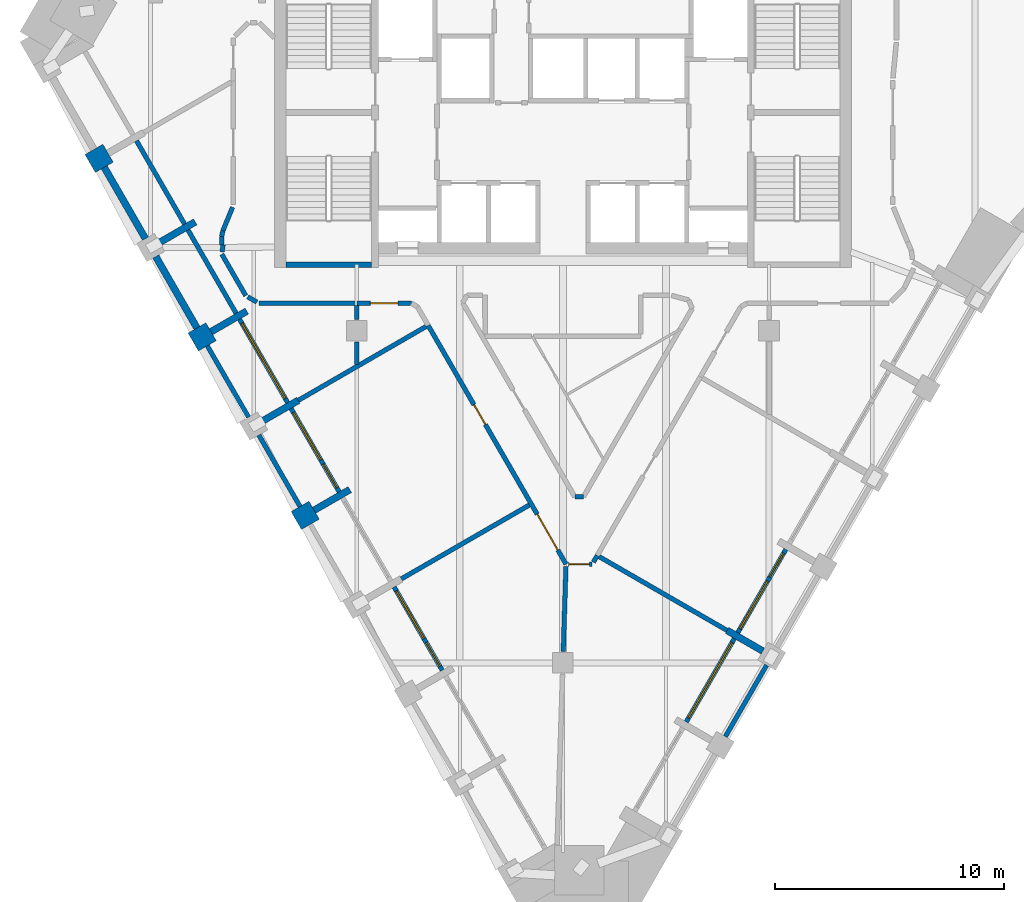
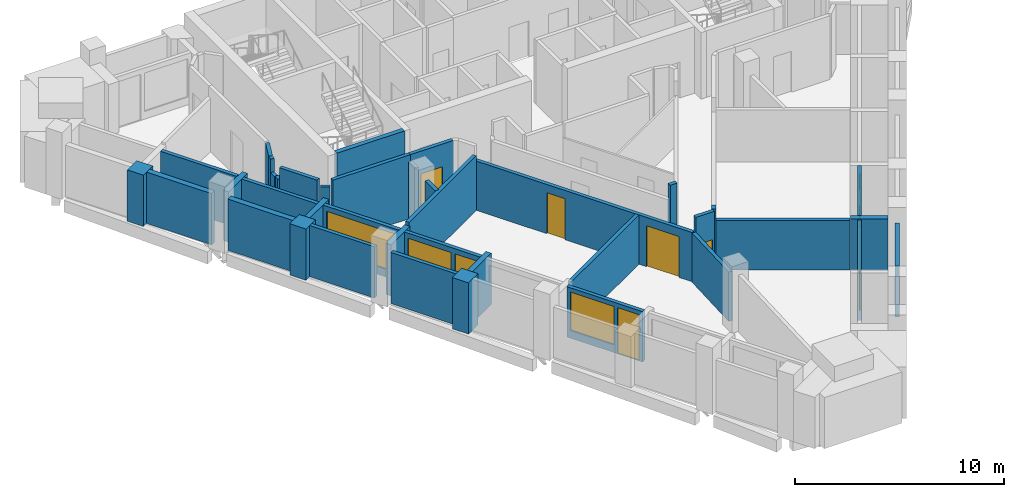
# One storey, part 3 of 9: 39 walls, 7 doors, 5 windows, 12 openings.
"""IFC4 building model written with IfcOpenShell, lengths in metres."""

from ifc_helpers import new_model, si_unit, direction, frame, frame_2d, origin, place, context, subcontext, project, spatial, rectangle, extrude, material, layer, layer_set, type_object, element, fill, save


model = new_model("IFC4")

# Units and contexts
model_context = context("Model", 3, precision=1e-05, world=origin(), true_north=direction((0.0, 1.0)))
body_context = subcontext(model_context, "Body", "Model", "MODEL_VIEW")
ifc_project = project(units=[si_unit("LENGTHUNIT", "METRE"), si_unit("AREAUNIT", "SQUARE_METRE"), si_unit("VOLUMEUNIT", "CUBIC_METRE"), si_unit("PLANEANGLEUNIT", "RADIAN"), si_unit("MASSUNIT", "GRAM", prefix="KILO")], contexts=[model_context])

# Site, building, storey
site_placement = place(None, origin())
site = spatial("IfcSite", under=ifc_project, at=site_placement, CompositionType="ELEMENT")
building_placement = place(site_placement, origin())
building = spatial("IfcBuilding", under=site, at=building_placement, Name="Calabash Gate Tower", CompositionType="ELEMENT")
storey_placement = place(building_placement, frame((0.0, 0.0, 283.300048828125)))
storey = spatial("IfcBuildingStorey", under=building, at=storey_placement, Name="L68", CompositionType="ELEMENT", Elevation=283.300048828125)

# Walls
ifc_material_1 = material(Name="Terracotta brick masonry, exposed face", Category="masonry")
ifc_layer_1 = layer(ifc_material_1, 0.89990234375)
ifc_layer_set_1 = layer_set([ifc_layer_1], Name="Brick end wall 900")
wall_type_1 = type_object("IfcWallType", Name="Brick end wall 900", PredefinedType="SOLIDWALL", material=ifc_layer_set_1)
wall_1_placement = place(storey_placement, frame((-20.643798828125, 9.80029296875, 0.0), z_axis=(0.0, 0.0, 1.0), x_axis=(0.865964261186, 0.500105887137, 0.0)))
element("IfcWall", 1, at=wall_1_placement, inside=storey, type_object=wall_type_1, Name="Brick pier S20 SW0.1", PredefinedType="SOLIDWALL", context=body_context, shape_type="SweptSolid", body=[
    extrude(rectangle(XDim=0.900146484375, YDim=0.89990234375, at=frame_2d((0.4501953125, 0.0))), origin(), (0.0, 0.0, 1.0), 3.0),
])
wall_2_placement = place(storey_placement, frame((-15.97900390625, 2.620849609375, 0.0), z_axis=(0.0, 0.0, 1.0), x_axis=(0.50001992892, -0.866013897511, 0.0)))
element("IfcWall", 2, at=wall_2_placement, inside=storey, type_object=wall_type_1, Name="Brick pier S20 SW0.3", PredefinedType="SOLIDWALL", context=body_context, shape_type="SweptSolid", body=[
    extrude(rectangle(XDim=0.89990234375, YDim=0.89990234375, at=frame_2d((0.449951171875, 0.0))), origin(), (0.0, 0.0, 1.0), 3.0),
])
wall_3_placement = place(storey_placement, frame((-11.47900390625, -5.17333984375, 0.0), z_axis=(0.0, 0.0, 1.0), x_axis=(0.499902469156, -0.866081705922, 0.0)))
element("IfcWall", 3, at=wall_3_placement, inside=storey, type_object=wall_type_1, Name="Brick pier S20 SW0.5", PredefinedType="SOLIDWALL", context=body_context, shape_type="SweptSolid", body=[
    extrude(rectangle(XDim=0.900146484375, YDim=0.89990234375, at=frame_2d((0.4501953125, 0.0))), origin(), (0.0, 0.0, 1.0), 3.0),
])
ifc_material_2 = material(Name="Terracotta brick masonry, exposed face", Category="masonry")
ifc_layer_2 = layer(ifc_material_2, 0.300048828125)
ifc_layer_set_2 = layer_set([ifc_layer_2], Name="Brick infill panel wall 300")
wall_type_2 = type_object("IfcWallType", Name="Brick infill panel wall 300", PredefinedType="SOLIDWALL", material=ifc_layer_set_2)
for number, where, z_axis, x_axis, name in (
    (4, (-20.029052734375, 9.6357421875, 0.0), (0.0, 0.0, 1.0), (0.500012057535, -0.866018442252, 0.0), "Brick panel S20 SW0.2"),
    (5, (-17.779052734375, 5.738525390625, 0.0), (0.0, 0.0, 1.0), (0.500012057535, -0.866018442252, 0.0), "Brick panel S20 SW0.3"),
):
    element("IfcWall", number, at=place(storey_placement, frame(where, z_axis=z_axis, x_axis=x_axis)), inside=storey, type_object=wall_type_2, Name=name, PredefinedType="SOLIDWALL", context=body_context, shape_type="SweptSolid", body=[
        extrude(rectangle(XDim=3.60009765625, YDim=0.300048828125, at=frame_2d((1.800048828125, 0.0))), origin(), (0.0, 0.0, 1.0), 3.0),
    ])
ifc_material_3 = material(Name="Terracotta brick masonry, exposed face", Category="masonry")
ifc_layer_3 = layer(ifc_material_3, 0.300048828125)
ifc_layer_set_3 = layer_set([ifc_layer_3], Name="Brick loggia cheek wall 300")
wall_type_3 = type_object("IfcWallType", Name="Brick loggia cheek wall 300", PredefinedType="SOLIDWALL", material=ifc_layer_set_3)
wall_4_placement = place(storey_placement, frame((-17.6142578125, 6.353271484375, 0.0), z_axis=(0.0, 0.0, 1.0), x_axis=(0.866047807691, 0.499961193289, 0.0)))
element("IfcWall", 6, at=wall_4_placement, inside=storey, type_object=wall_type_3, Name="Loggia cheek S20 SW0.2", PredefinedType="SOLIDWALL", context=body_context, shape_type="SweptSolid", body=[
    extrude(rectangle(XDim=1.800048828125, YDim=0.300048828125, at=frame_2d((0.89990234375, 0.0))), origin(), (0.0, 0.0, 1.0), 2.949951171875),
])
for number, where, z_axis, x_axis, name in (
    (7, (-13.805419921875, 3.356201171875, 0.0), (0.0, 0.0, 1.0), (-0.865989075817, -0.500062916607, 0.0), "Loggia cheek S20 SW0.3"),
    (8, (-11.555419921875, -0.541015625, 0.0), (0.0, 0.0, 1.0), (-0.866047807691, -0.499961193289, 0.0), "Loggia cheek S20 SW0.4"),
    (9, (-9.305419921875, -4.43798828125, 0.0), (0.0, 0.0, 1.0), (-0.865989075817, -0.500062916607, 0.0), "Loggia cheek S20 SW0.5"),
    (10, (8.729248046875, -11.488037109375, 0.0), (0.0, 0.0, 1.0), (-0.866047807691, 0.499961193289, 0.0), "Loggia cheek S20 SE2.2"),
):
    element("IfcWall", number, at=place(storey_placement, frame(where, z_axis=z_axis, x_axis=x_axis)), inside=storey, type_object=wall_type_3, Name=name, PredefinedType="SOLIDWALL", context=body_context, shape_type="SweptSolid", body=[
        extrude(rectangle(XDim=1.800048828125, YDim=0.300048828125, at=frame_2d((0.89990234375, 0.0))), origin(), (0.0, 0.0, 1.0), 3.0),
    ])
ifc_material_4 = material(Name="Concrete C60/75", Category="concrete")
ifc_layer_4 = layer(ifc_material_4, 0.25)
ifc_layer_set_4 = layer_set([ifc_layer_4], Name="Core wall 250 Concrete C60/75")
wall_type_4 = type_object("IfcWallType", Name="Core wall 250 Concrete C60/75", PredefinedType="SHEAR", material=ifc_layer_set_4)
wall_5_placement = place(storey_placement, frame((-12.10009765625, 5.377685546875, 0.0), z_axis=(0.0, 0.0, 1.0), x_axis=(1.0, 0.0, 0.0)))
element("IfcWall", 11, at=wall_5_placement, inside=storey, type_object=wall_type_4, Name="Core wall Z5-SSW L68", PredefinedType="SHEAR", context=body_context, shape_type="SweptSolid", body=[
    extrude(rectangle(XDim=3.75, YDim=0.25, at=frame_2d((1.875, 0.0))), origin(), (0.0, 0.0, 1.0), 3.89990234375),
])
ifc_material_5 = material(Name="Gypsum board on steel studs, mineral wool", Category="steel")
ifc_layer_5 = layer(ifc_material_5, 0.199951171875)
ifc_layer_set_5 = layer_set([ifc_layer_5], Name="Partition 200 gypsum board EI 60")
wall_type_5 = type_object("IfcWallType", Name="Partition 200 gypsum board EI 60", PredefinedType="PARTITIONING", material=ifc_layer_set_5)
wall_6_placement = place(storey_placement, frame((0.015625, -11.5, 0.0), z_axis=(0.0, 0.0, 1.0), x_axis=(0.031312793596, 0.999509634249, 0.0)))
element("IfcWall", 12, at=wall_6_placement, inside=storey, type_object=wall_type_5, Name="Partition", PredefinedType="PARTITIONING", context=body_context, shape_type="SweptSolid", body=[
    extrude(rectangle(XDim=3.711181640625, YDim=0.199951171875, at=frame_2d((1.85546875, 0.0))), origin(), (0.0, 0.0, 1.0), 2.884033203125),
])
wall_7_placement = place(storey_placement, frame((1.583984375, -7.364990234375, 0.0), z_axis=(0.0, 0.0, 1.0), x_axis=(0.866145880339, -0.499791270404, 0.0)))
element("IfcWall", 13, at=wall_7_placement, inside=storey, type_object=wall_type_5, Name="Partition", PredefinedType="PARTITIONING", context=body_context, shape_type="SweptSolid", body=[
    extrude(rectangle(XDim=6.449462890625, YDim=0.199951171875, at=frame_2d((3.224609375, 0.0))), origin(), (0.0, 0.0, 1.0), 2.884033203125),
])

# Wall, openings, doors
wall_8_placement = place(storey_placement, frame((-5.884765625, 2.73291015625, 0.0), z_axis=(0.0, 0.0, 1.0), x_axis=(0.499999199346, -0.866025866042, 0.0)))
wall_8 = element("IfcWall", 14, at=wall_8_placement, inside=storey, type_object=wall_type_5, Name="Partition", PredefinedType="PARTITIONING", context=body_context, shape_type="SweptSolid", body=[
    extrude(rectangle(XDim=12.0400390625, YDim=0.199951171875, at=frame_2d((6.02001953125, 0.0))), origin(), (0.0, 0.0, 1.0), 2.884033203125),
])
opening_1_placement = place(wall_8_placement, frame((4.0, 0.0, 0.0)))
opening_1 = element("IfcOpeningElement", 15, at=opening_1_placement, cuts=wall_8, Name="Opening 67-68-001", PredefinedType="OPENING", context=body_context, shape_type="SweptSolid", body=[
    extrude(rectangle(XDim=1.0, YDim=2.39990234375, at=frame_2d((0.5, 1.199951171875))), frame((0.0, 0.10986328125, 0.0), z_axis=(0.0, -1.0, 0.0), x_axis=(1.0, 0.0, 0.0)), (0.0, 0.0, 1.0), 0.219970703125),
])
opening_2_placement = place(wall_8_placement, frame((9.519775390625, 0.0, 0.0)))
opening_2 = element("IfcOpeningElement", 16, at=opening_2_placement, cuts=wall_8, Name="Opening 67-68-011", PredefinedType="OPENING", context=body_context, shape_type="SweptSolid", body=[
    extrude(rectangle(XDim=1.800048828125, YDim=2.39990234375, at=frame_2d((0.89990234375, 1.199951171875))), frame((0.0, 0.10986328125, 0.0), z_axis=(0.0, -1.0, 0.0), x_axis=(1.0, 0.0, 0.0)), (0.0, 0.0, 1.0), 0.219970703125),
])
ifc_material_6 = material(Name="Painted timber door", Category="wood")
door_type_1 = type_object("IfcDoorType", Name="OD2 Glazed office door 1000x2400", OperationType="NOTDEFINED", PredefinedType="DOOR", material=ifc_material_6)
door_1_placement = place(opening_1_placement, origin())
door_1 = element("IfcDoor", 17, at=door_1_placement, inside=storey, type_object=door_type_1, Name="Glazed office door", OperationType="SINGLE_SWING_RIGHT", OverallHeight=2.39990234375, OverallWidth=1.0, PredefinedType="DOOR", context=body_context, shape_type="SweptSolid", body=[
    extrude(rectangle(XDim=1.0, YDim=2.39990234375, at=frame_2d((0.5, 1.199951171875))), frame((0.0, 0.02490234375, 0.0), z_axis=(0.0, -1.0, 0.0), x_axis=(1.0, 0.0, 0.0)), (0.0, 0.0, 1.0), 0.050048828125),
])
fill(opening_1, door_1)
ifc_material_7 = material(Name="Steel fire door set with fire-resisting glazing", Category="steel")
door_type_2 = type_object("IfcDoorType", Name="TD1 Tenancy entrance double door 1800x2400", OperationType="NOTDEFINED", PredefinedType="DOOR", material=ifc_material_7)
door_2_placement = place(opening_2_placement, origin())
door_2 = element("IfcDoor", 18, at=door_2_placement, inside=storey, type_object=door_type_2, Name="Tenancy entrance double door", OperationType="DOUBLE_DOOR_SINGLE_SWING", OverallHeight=2.39990234375, OverallWidth=1.800048828125, PredefinedType="DOOR", context=body_context, shape_type="SweptSolid", body=[
    extrude(rectangle(XDim=1.800048828125, YDim=2.39990234375, at=frame_2d((0.89990234375, 1.199951171875))), frame((0.0, 0.02490234375, 0.0), z_axis=(0.0, -1.0, 0.0), x_axis=(1.0, 0.0, 0.0)), (0.0, 0.0, 1.0), 0.050048828125),
])
fill(opening_2, door_2)

# Wall, opening, door
wall_9_placement = place(storey_placement, frame((0.236083984375, -7.692138671875, 0.0), z_axis=(0.0, 0.0, 1.0), x_axis=(1.0, 0.0, 0.0)))
wall_9 = element("IfcWall", 19, at=wall_9_placement, inside=storey, type_object=wall_type_5, Name="Partition", PredefinedType="PARTITIONING", context=body_context, shape_type="SweptSolid", body=[
    extrude(rectangle(XDim=1.04345703125, YDim=0.199951171875, at=frame_2d((0.521728515625, 0.0))), origin(), (0.0, 0.0, 1.0), 3.72998046875),
])
opening_3_placement = place(wall_9_placement, frame((0.02294921875, 0.0, 0.0)))
opening_3 = element("IfcOpeningElement", 20, at=opening_3_placement, cuts=wall_9, Name="Opening 67-68-010", PredefinedType="OPENING", context=body_context, shape_type="SweptSolid", body=[
    extrude(rectangle(XDim=0.89990234375, YDim=2.10009765625, at=frame_2d((0.449951171875, 1.050048828125))), frame((0.0, 0.10986328125, 0.0), z_axis=(0.0, -1.0, 0.0), x_axis=(1.0, 0.0, 0.0)), (0.0, 0.0, 1.0), 0.219970703125),
])
ifc_material_8 = material(Name="Steel fire door set with fire-resisting glazing", Category="steel")
door_type_3 = type_object("IfcDoorType", Name="SD1 Service room door 900x2100", OperationType="NOTDEFINED", PredefinedType="DOOR", material=ifc_material_8)
door_3_placement = place(opening_3_placement, origin())
door_3 = element("IfcDoor", 21, at=door_3_placement, inside=storey, type_object=door_type_3, Name="Service room door", OperationType="SINGLE_SWING_RIGHT", OverallHeight=2.10009765625, OverallWidth=0.89990234375, PredefinedType="DOOR", context=body_context, shape_type="SweptSolid", body=[
    extrude(rectangle(XDim=0.89990234375, YDim=2.10009765625, at=frame_2d((0.449951171875, 1.050048828125))), frame((0.0, 0.02490234375, 0.0), z_axis=(0.0, -1.0, 0.0), x_axis=(1.0, 0.0, 0.0)), (0.0, 0.0, 1.0), 0.050048828125),
])
fill(opening_3, door_3)

# Walls
wall_10_placement = place(storey_placement, frame((1.329833984375, -7.605712890625, 0.0), z_axis=(0.0, 0.0, 1.0), x_axis=(0.503375579216, 0.86406772087, 0.0)))
element("IfcWall", 22, at=wall_10_placement, inside=storey, type_object=wall_type_5, Name="Partition", PredefinedType="PARTITIONING", context=body_context, shape_type="SweptSolid", body=[
    extrude(rectangle(XDim=0.337158203125, YDim=0.199951171875, at=frame_2d((0.16845703125, 0.0))), origin(), (0.0, 0.0, 1.0), 3.72998046875),
])
wall_11_placement = place(storey_placement, frame((-7.05517578125, -8.335693359375, 0.0), z_axis=(0.0, 0.0, 1.0), x_axis=(0.866129493323, 0.499819668277, 0.0)))
element("IfcWall", 23, at=wall_11_placement, inside=storey, type_object=wall_type_5, Name="Partition", PredefinedType="PARTITIONING", context=body_context, shape_type="SweptSolid", body=[
    extrude(rectangle(XDim=6.44970703125, YDim=0.199951171875, at=frame_2d((3.224853515625, 0.0))), origin(), (0.0, 0.0, 1.0), 2.884033203125),
])
wall_12_placement = place(storey_placement, frame((0.517333984375, -4.75146484375, 0.0), z_axis=(0.0, 0.0, 1.0), x_axis=(1.0, 0.0, 0.0)))
element("IfcWall", 24, at=wall_12_placement, inside=storey, type_object=wall_type_5, Name="Partition", PredefinedType="PARTITIONING", context=body_context, shape_type="SweptSolid", body=[
    extrude(rectangle(XDim=0.380859375, YDim=0.199951171875, at=frame_2d((0.1904296875, 0.0))), origin(), (0.0, 0.0, 1.0), 3.72998046875),
])
wall_13_placement = place(storey_placement, frame((-11.555908203125, -0.54052734375, 0.0), z_axis=(0.0, 0.0, 1.0), x_axis=(0.865781982927, 0.500421380478, 0.0)))
element("IfcWall", 25, at=wall_13_placement, inside=storey, type_object=wall_type_5, Name="Partition", PredefinedType="PARTITIONING", context=body_context, shape_type="SweptSolid", body=[
    extrude(rectangle(XDim=6.44970703125, YDim=0.199951171875, at=frame_2d((3.224853515625, 0.0))), origin(), (0.0, 0.0, 1.0), 3.201904296875),
])
wall_14_placement = place(storey_placement, frame((-9.001708984375, 1.03564453125, 0.0), z_axis=(0.0, 0.0, 1.0), x_axis=(0.001518985589, 0.999998846341, 0.0)))
element("IfcWall", 26, at=wall_14_placement, inside=storey, type_object=wall_type_5, Name="Partition", PredefinedType="PARTITIONING", context=body_context, shape_type="SweptSolid", body=[
    extrude(rectangle(XDim=0.96435546875, YDim=0.199951171875, at=frame_2d((0.482177734375, 0.0))), origin(), (0.0, 0.0, 1.0), 3.201904296875),
])
wall_15_placement = place(storey_placement, frame((-9.001708984375, 3.599609375, 0.0), z_axis=(0.0, 0.0, 1.0), x_axis=(0.002442989453, -0.999997015897, 0.0)))
element("IfcWall", 27, at=wall_15_placement, inside=storey, type_object=wall_type_5, Name="Partition", PredefinedType="PARTITIONING", context=body_context, shape_type="SweptSolid", body=[
    extrude(rectangle(XDim=0.599609375, YDim=0.199951171875, at=frame_2d((0.2998046875, 0.0))), origin(), (0.0, 0.0, 1.0), 3.33154296875),
])
wall_16_placement = place(storey_placement, frame((-13.27685546875, 3.69970703125, 0.0), z_axis=(0.0, 0.0, 1.0), x_axis=(0.999999920155, -0.000399611774, 0.0)))
element("IfcWall", 28, at=wall_16_placement, inside=storey, type_object=wall_type_5, Name="Partition", PredefinedType="PARTITIONING", context=body_context, shape_type="SweptSolid", body=[
    extrude(rectangle(XDim=4.276611328125, YDim=0.199951171875, at=frame_2d((2.13818359375, 0.0))), origin(), (0.0, 0.0, 1.0), 3.72998046875),
])

# Wall, opening, door
wall_17_placement = place(storey_placement, frame((-9.0, 3.697998046875, 0.0), z_axis=(0.0, 0.0, 1.0), x_axis=(0.999999810961, 0.000614879982, 0.0)))
wall_17 = element("IfcWall", 29, at=wall_17_placement, inside=storey, type_object=wall_type_5, Name="Partition", PredefinedType="PARTITIONING", context=body_context, shape_type="SweptSolid", body=[
    extrude(rectangle(XDim=2.38232421875, YDim=0.199951171875, at=frame_2d((1.191162109375, 0.0))), origin(), (0.0, 0.0, 1.0), 3.72998046875),
])
opening_4_placement = place(wall_17_placement, frame((0.590087890625, 0.0, 0.0)))
opening_4 = element("IfcOpeningElement", 30, at=opening_4_placement, cuts=wall_17, Name="Opening 67-68-003", PredefinedType="OPENING", context=body_context, shape_type="SweptSolid", body=[
    extrude(rectangle(XDim=1.199951171875, YDim=2.39990234375, at=frame_2d((0.60009765625, 1.199951171875))), frame((0.0, 0.10986328125, 0.0), z_axis=(0.0, -1.0, 0.0), x_axis=(1.0, 0.0, 0.0)), (0.0, 0.0, 1.0), 0.219970703125),
])
ifc_material_9 = material(Name="Steel fire door set with fire-resisting glazing", Category="steel")
door_type_4 = type_object("IfcDoorType", Name="OD3 Boardroom door 1200x2400", OperationType="NOTDEFINED", PredefinedType="DOOR", material=ifc_material_9)
door_4_placement = place(opening_4_placement, origin())
door_4 = element("IfcDoor", 31, at=door_4_placement, inside=storey, type_object=door_type_4, Name="Boardroom door", OperationType="SINGLE_SWING_LEFT", OverallHeight=2.39990234375, OverallWidth=1.199951171875, PredefinedType="DOOR", context=body_context, shape_type="SweptSolid", body=[
    extrude(rectangle(XDim=1.199951171875, YDim=2.39990234375, at=frame_2d((0.60009765625, 1.199951171875))), frame((0.0, 0.02490234375, 0.0), z_axis=(0.0, -1.0, 0.0), x_axis=(1.0, 0.0, 0.0)), (0.0, 0.0, 1.0), 0.050048828125),
])
fill(opening_4, door_4)

# Walls
wall_18_placement = place(storey_placement, frame((-13.761962890625, 3.979736328125, 0.0), z_axis=(0.0, 0.0, 1.0), x_axis=(0.865982457891, -0.500074377092, 0.0)))
element("IfcWall", 32, at=wall_18_placement, inside=storey, type_object=wall_type_5, Name="Partition", PredefinedType="PARTITIONING", context=body_context, shape_type="SweptSolid", body=[
    extrude(rectangle(XDim=0.46044921875, YDim=0.199951171875, at=frame_2d((0.230224609375, 0.0))), origin(), (0.0, 0.0, 1.0), 3.33154296875),
])
wall_19_placement = place(storey_placement, frame((-14.89404296875, 5.84033203125, 0.0), z_axis=(0.0, 0.0, 1.0), x_axis=(0.500120010312, -0.86595610471, 0.0)))
element("IfcWall", 33, at=wall_19_placement, inside=storey, type_object=wall_type_5, Name="Partition", PredefinedType="PARTITIONING", context=body_context, shape_type="SweptSolid", body=[
    extrude(rectangle(XDim=2.0908203125, YDim=0.199951171875, at=frame_2d((1.04541015625, 0.0))), origin(), (0.0, 0.0, 1.0), 3.72998046875),
])
wall_20_placement = place(storey_placement, frame((-14.880859375, 5.939697265625, 0.0), z_axis=(0.0, 0.0, 1.0), x_axis=(0.130133906157, 0.991496427865, 0.0)))
element("IfcWall", 34, at=wall_20_placement, inside=storey, type_object=wall_type_5, Name="Partition", PredefinedType="PARTITIONING", context=body_context, shape_type="SweptSolid", body=[
    extrude(rectangle(XDim=0.315185546875, YDim=0.199951171875, at=frame_2d((0.15771484375, 0.0))), origin(), (0.0, 0.0, 1.0), 2.949951171875),
])
wall_21_placement = place(storey_placement, frame((-14.900390625, 6.25244140625, 0.0), z_axis=(0.0, 0.0, 1.0), x_axis=(0.0, 1.0, 0.0)))
element("IfcWall", 35, at=wall_21_placement, inside=storey, type_object=wall_type_5, Name="Partition", PredefinedType="PARTITIONING", context=body_context, shape_type="SweptSolid", body=[
    extrude(rectangle(XDim=0.360107421875, YDim=0.199951171875, at=frame_2d((0.18017578125, 0.0))), origin(), (0.0, 0.0, 1.0), 2.949951171875),
])
wall_22_placement = place(storey_placement, frame((-14.900390625, 6.612548828125, 0.0), z_axis=(0.0, 0.0, 1.0), x_axis=(0.200521214098, 0.979689360306, 0.0)))
element("IfcWall", 36, at=wall_22_placement, inside=storey, type_object=wall_type_5, Name="Partition", PredefinedType="PARTITIONING", context=body_context, shape_type="SweptSolid", body=[
    extrude(rectangle(XDim=0.255615234375, YDim=0.199951171875, at=frame_2d((0.1279296875, 0.0))), origin(), (0.0, 0.0, 1.0), 3.72998046875),
])
wall_23_placement = place(storey_placement, frame((-14.84912109375, 6.863037109375, 0.0), z_axis=(0.0, 0.0, 1.0), x_axis=(0.380782882389, 0.924664477786, 0.0)))
element("IfcWall", 37, at=wall_23_placement, inside=storey, type_object=wall_type_5, Name="Partition", PredefinedType="PARTITIONING", context=body_context, shape_type="SweptSolid", body=[
    extrude(rectangle(XDim=1.11376953125, YDim=0.199951171875, at=frame_2d((0.556884765625, 0.0))), origin(), (0.0, 0.0, 1.0), 3.72998046875),
])
ifc_material_10 = material(Name="Terracotta brick masonry, perforated", Category="masonry")
ifc_layer_6 = layer(ifc_material_10, 0.199951171875)
ifc_layer_set_6 = layer_set([ifc_layer_6], Name="Terracotta jaali screen B")
wall_type_6 = type_object("IfcWallType", Name="Terracotta jaali screen B", PredefinedType="SOLIDWALL", material=ifc_layer_set_6)
for number, where, z_axis, x_axis, name in (
    (38, (-15.529052734375, 1.841552734375, 0.0), (0.0, 0.0, 1.0), (0.500012057535, -0.866018442252, 0.0), "SCREEN B S20 SW0.4"),
    (39, (-13.279052734375, -2.0556640625, 0.0), (0.0, 0.0, 1.0), (0.500012057535, -0.866018442252, 0.0), "SCREEN B S20 SW0.5"),
    (40, (7.093994140625, -15.220458984375, 0.0), (0.0, 0.0, 1.0), (0.500012057535, 0.866018442252, 0.0), "SCREEN B S20 SE2.2"),
):
    element("IfcWall", number, at=place(storey_placement, frame(where, z_axis=z_axis, x_axis=x_axis)), inside=storey, type_object=wall_type_6, Name=name, PredefinedType="SOLIDWALL", context=body_context, shape_type="SweptSolid", body=[
        extrude(rectangle(XDim=3.60009765625, YDim=0.199951171875, at=frame_2d((1.800048828125, 0.0))), origin(), (0.0, 0.0, 1.0), 3.0),
    ])
ifc_material_11 = material(Name="Aluminium framed window wall with insulated spandrel", Category="aluminium")
ifc_layer_7 = layer(ifc_material_11, 0.199951171875)
ifc_layer_set_7 = layer_set([ifc_layer_7], Name="Window wall 200")
wall_type_7 = type_object("IfcWallType", Name="Window wall 200", PredefinedType="ELEMENTEDWALL", material=ifc_layer_set_7)
wall_24_placement = place(storey_placement, frame((-18.6201171875, 10.79541015625, 0.0), z_axis=(0.0, 0.0, 1.0), x_axis=(0.49998411664, -0.866034573852, 0.0)))
element("IfcWall", 41, at=wall_24_placement, inside=storey, type_object=wall_type_7, Name="Window wall S20 SW0.2", PredefinedType="ELEMENTEDWALL", context=body_context, shape_type="SweptSolid", body=[
    extrude(rectangle(XDim=4.199951171875, YDim=0.199951171875, at=frame_2d((2.10009765625, 0.0))), origin(), (0.0, 0.0, 1.0), 3.0),
])
wall_25_placement = place(storey_placement, frame((-16.3701171875, 6.8984375, 0.0), z_axis=(0.0, 0.0, 1.0), x_axis=(0.499958946799, -0.866049104564, 0.0)))
element("IfcWall", 42, at=wall_25_placement, inside=storey, type_object=wall_type_7, Name="Window wall S20 SW0.3", PredefinedType="ELEMENTEDWALL", context=body_context, shape_type="SweptSolid", body=[
    extrude(rectangle(XDim=4.199951171875, YDim=0.199951171875, at=frame_2d((2.10009765625, 0.0))), origin(), (0.0, 0.0, 1.0), 2.949951171875),
])

# Wall, opening, window
wall_26_placement = place(storey_placement, frame((-14.1201171875, 3.001220703125, 0.0), z_axis=(0.0, 0.0, 1.0), x_axis=(0.49998411664, -0.866034573852, 0.0)))
wall_26 = element("IfcWall", 43, at=wall_26_placement, inside=storey, type_object=wall_type_7, Name="Window wall S20 SW0.4", PredefinedType="ELEMENTEDWALL", context=body_context, shape_type="SweptSolid", body=[
    extrude(rectangle(XDim=4.199951171875, YDim=0.199951171875, at=frame_2d((2.10009765625, 0.0))), origin(), (0.0, 0.0, 1.0), 3.0),
])
opening_5_placement = place(wall_26_placement, frame((0.199951171875, 0.0, 0.449951171875)))
opening_5 = element("IfcOpeningElement", 44, at=opening_5_placement, cuts=wall_26, Name="Opening OW2", PredefinedType="OPENING", context=body_context, shape_type="SweptSolid", body=[
    extrude(rectangle(XDim=3.800048828125, YDim=2.25, at=frame_2d((1.89990234375, 1.125))), frame((0.0, 0.10986328125, 0.0), z_axis=(0.0, -1.0, 0.0), x_axis=(1.0, 0.0, 0.0)), (0.0, 0.0, 1.0), 0.219970703125),
])
ifc_material_12 = material(Name="Anodised aluminium frame, bronze finish, impact-rated laminated clear glazing", Category="aluminium")
window_type_1 = type_object("IfcWindowType", Name="Window OW2 3800x2250", PartitioningType="TRIPLE_PANEL_VERTICAL", PredefinedType="WINDOW", material=ifc_material_12)
window_1_placement = place(opening_5_placement, origin())
window_1 = element("IfcWindow", 45, at=window_1_placement, inside=storey, type_object=window_type_1, Name="Window OW2 S20 SW0.4", OverallHeight=2.25, OverallWidth=3.800048828125, PartitioningType="SINGLE_PANEL", PredefinedType="WINDOW", context=body_context, shape_type="SweptSolid", body=[
    extrude(rectangle(XDim=3.800048828125, YDim=2.25, at=frame_2d((1.89990234375, 1.125))), frame((0.0, 0.030029296875, 0.0), z_axis=(0.0, -1.0, 0.0), x_axis=(1.0, 0.0, 0.0)), (0.0, 0.0, 1.0), 0.06005859375),
])
fill(opening_5, window_1)

# Wall, openings, door, window
wall_27_placement = place(storey_placement, frame((-11.8701171875, -0.895751953125, 0.0), z_axis=(0.0, 0.0, 1.0), x_axis=(0.499958946799, -0.866049104564, 0.0)))
wall_27 = element("IfcWall", 46, at=wall_27_placement, inside=storey, type_object=wall_type_7, Name="Window wall S20 SW0.5", PredefinedType="ELEMENTEDWALL", context=body_context, shape_type="SweptSolid", body=[
    extrude(rectangle(XDim=4.199951171875, YDim=0.199951171875, at=frame_2d((2.10009765625, 0.0))), origin(), (0.0, 0.0, 1.0), 3.0),
])
opening_6_placement = place(wall_27_placement, frame((0.199951171875, 0.0, 0.449951171875)))
opening_6 = element("IfcOpeningElement", 47, at=opening_6_placement, cuts=wall_27, Name="Opening OW1", PredefinedType="OPENING", context=body_context, shape_type="SweptSolid", body=[
    extrude(rectangle(XDim=2.39990234375, YDim=2.25, at=frame_2d((1.199951171875, 1.125))), frame((0.0, 0.10986328125, 0.0), z_axis=(0.0, -1.0, 0.0), x_axis=(1.0, 0.0, 0.0)), (0.0, 0.0, 1.0), 0.219970703125),
])
opening_7_placement = place(wall_27_placement, frame((2.800048828125, 0.0, 0.0)))
opening_7 = element("IfcOpeningElement", 48, at=opening_7_placement, cuts=wall_27, Name="Opening O12-017", PredefinedType="OPENING", context=body_context, shape_type="SweptSolid", body=[
    extrude(rectangle(XDim=1.199951171875, YDim=2.699951171875, at=frame_2d((0.60009765625, 1.35009765625))), frame((0.0, 0.10986328125, 0.0), z_axis=(0.0, -1.0, 0.0), x_axis=(1.0, 0.0, 0.0)), (0.0, 0.0, 1.0), 0.219970703125),
])
ifc_material_13 = material(Name="Anodised aluminium frame, bronze finish, impact-rated laminated clear glazing", Category="aluminium")
door_type_5 = type_object("IfcDoorType", Name="Loggia door DO1 1200x2700", OperationType="SLIDING_TO_LEFT", PredefinedType="DOOR", material=ifc_material_13)
door_5_placement = place(opening_7_placement, origin())
door_5 = element("IfcDoor", 49, at=door_5_placement, inside=storey, type_object=door_type_5, Name="Loggia door S20 SW0.5", OperationType="SINGLE_SWING_LEFT", OverallHeight=2.699951171875, OverallWidth=1.199951171875, PredefinedType="DOOR", context=body_context, shape_type="SweptSolid", body=[
    extrude(rectangle(XDim=1.199951171875, YDim=2.699951171875, at=frame_2d((0.60009765625, 1.35009765625))), frame((0.0, 0.02490234375, 0.0), z_axis=(0.0, -1.0, 0.0), x_axis=(1.0, 0.0, 0.0)), (0.0, 0.0, 1.0), 0.050048828125),
])
fill(opening_7, door_5)
ifc_material_14 = material(Name="Anodised aluminium frame, bronze finish, impact-rated laminated clear glazing", Category="aluminium")
window_type_2 = type_object("IfcWindowType", Name="Window OW1 2400x2250", PartitioningType="DOUBLE_PANEL_VERTICAL", PredefinedType="WINDOW", material=ifc_material_14)
window_2_placement = place(opening_6_placement, origin())
window_2 = element("IfcWindow", 50, at=window_2_placement, inside=storey, type_object=window_type_2, Name="Window OW1 S20 SW0.5", OverallHeight=2.25, OverallWidth=2.39990234375, PartitioningType="SINGLE_PANEL", PredefinedType="WINDOW", context=body_context, shape_type="SweptSolid", body=[
    extrude(rectangle(XDim=2.39990234375, YDim=2.25, at=frame_2d((1.199951171875, 1.125))), frame((0.0, 0.030029296875, 0.0), z_axis=(0.0, -1.0, 0.0), x_axis=(1.0, 0.0, 0.0)), (0.0, 0.0, 1.0), 0.06005859375),
])
fill(opening_6, window_2)

wall_28_placement = place(storey_placement, frame((-7.3701171875, -8.690185546875, 0.0), z_axis=(0.0, 0.0, 1.0), x_axis=(0.49998411664, -0.866034573852, 0.0)))
wall_28 = element("IfcWall", 51, at=wall_28_placement, inside=storey, type_object=wall_type_7, Name="Window wall S20 SW0.7", PredefinedType="ELEMENTEDWALL", context=body_context, shape_type="SweptSolid", body=[
    extrude(rectangle(XDim=4.199951171875, YDim=0.199951171875, at=frame_2d((2.10009765625, 0.0))), origin(), (0.0, 0.0, 1.0), 2.949951171875),
])
opening_8_placement = place(wall_28_placement, frame((0.199951171875, 0.0, 0.449951171875)))
opening_8 = element("IfcOpeningElement", 52, at=opening_8_placement, cuts=wall_28, Name="Opening OW1", PredefinedType="OPENING", context=body_context, shape_type="SweptSolid", body=[
    extrude(rectangle(XDim=2.39990234375, YDim=2.25, at=frame_2d((1.199951171875, 1.125))), frame((0.0, 0.10986328125, 0.0), z_axis=(0.0, -1.0, 0.0), x_axis=(1.0, 0.0, 0.0)), (0.0, 0.0, 1.0), 0.219970703125),
])
opening_9_placement = place(wall_28_placement, frame((2.800048828125, 0.0, 0.0)))
opening_9 = element("IfcOpeningElement", 53, at=opening_9_placement, cuts=wall_28, Name="Opening O12-018", PredefinedType="OPENING", context=body_context, shape_type="SweptSolid", body=[
    extrude(rectangle(XDim=1.199951171875, YDim=2.699951171875, at=frame_2d((0.60009765625, 1.35009765625))), frame((0.0, 0.10986328125, 0.0), z_axis=(0.0, -1.0, 0.0), x_axis=(1.0, 0.0, 0.0)), (0.0, 0.0, 1.0), 0.219970703125),
])
door_6_placement = place(opening_9_placement, origin())
door_6 = element("IfcDoor", 54, at=door_6_placement, inside=storey, type_object=door_type_5, Name="Loggia door S20 SW0.7", OperationType="SINGLE_SWING_LEFT", OverallHeight=2.699951171875, OverallWidth=1.199951171875, PredefinedType="DOOR", context=body_context, shape_type="SweptSolid", body=[
    extrude(rectangle(XDim=1.199951171875, YDim=2.699951171875, at=frame_2d((0.60009765625, 1.35009765625))), frame((0.0, 0.02490234375, 0.0), z_axis=(0.0, -1.0, 0.0), x_axis=(1.0, 0.0, 0.0)), (0.0, 0.0, 1.0), 0.050048828125),
])
fill(opening_9, door_6)
window_3_placement = place(opening_8_placement, origin())
window_3 = element("IfcWindow", 55, at=window_3_placement, inside=storey, type_object=window_type_2, Name="Window OW1 S20 SW0.7", OverallHeight=2.25, OverallWidth=2.39990234375, PartitioningType="SINGLE_PANEL", PredefinedType="WINDOW", context=body_context, shape_type="SweptSolid", body=[
    extrude(rectangle(XDim=2.39990234375, YDim=2.25, at=frame_2d((1.199951171875, 1.125))), frame((0.0, 0.030029296875, 0.0), z_axis=(0.0, -1.0, 0.0), x_axis=(1.0, 0.0, 0.0)), (0.0, 0.0, 1.0), 0.06005859375),
])
fill(opening_8, window_3)

# Wall, opening, window
wall_29_placement = place(storey_placement, frame((5.385009765625, -14.580322265625, 0.0), z_axis=(0.0, 0.0, 1.0), x_axis=(0.500002543286, 0.866023935413, 0.0)))
wall_29 = element("IfcWall", 56, at=wall_29_placement, inside=storey, type_object=wall_type_7, Name="Window wall S20 SE2.2", PredefinedType="ELEMENTEDWALL", context=body_context, shape_type="SweptSolid", body=[
    extrude(rectangle(XDim=4.2001953125, YDim=0.199951171875, at=frame_2d((2.10009765625, 0.0))), origin(), (0.0, 0.0, 1.0), 2.949951171875),
])
opening_10_placement = place(wall_29_placement, frame((0.199951171875, 0.0, 0.449951171875)))
opening_10 = element("IfcOpeningElement", 57, at=opening_10_placement, cuts=wall_29, Name="Opening OW2", PredefinedType="OPENING", context=body_context, shape_type="SweptSolid", body=[
    extrude(rectangle(XDim=3.800048828125, YDim=2.25, at=frame_2d((1.89990234375, 1.125))), frame((0.0, 0.10986328125, 0.0), z_axis=(0.0, -1.0, 0.0), x_axis=(1.0, 0.0, 0.0)), (0.0, 0.0, 1.0), 0.219970703125),
])
window_4_placement = place(opening_10_placement, origin())
window_4 = element("IfcWindow", 58, at=window_4_placement, inside=storey, type_object=window_type_1, Name="Window OW2 S20 SE2.2", OverallHeight=2.25, OverallWidth=3.800048828125, PartitioningType="SINGLE_PANEL", PredefinedType="WINDOW", context=body_context, shape_type="SweptSolid", body=[
    extrude(rectangle(XDim=3.800048828125, YDim=2.25, at=frame_2d((1.89990234375, 1.125))), frame((0.0, 0.030029296875, 0.0), z_axis=(0.0, -1.0, 0.0), x_axis=(1.0, 0.0, 0.0)), (0.0, 0.0, 1.0), 0.06005859375),
])
fill(opening_10, window_4)

# Wall, openings, door, window
wall_30_placement = place(storey_placement, frame((7.635009765625, -10.68310546875, 0.0), z_axis=(0.0, 0.0, 1.0), x_axis=(0.500027713859, 0.866009402589, 0.0)))
wall_30 = element("IfcWall", 59, at=wall_30_placement, inside=storey, type_object=wall_type_7, Name="Window wall S20 SE2.3", PredefinedType="ELEMENTEDWALL", context=body_context, shape_type="SweptSolid", body=[
    extrude(rectangle(XDim=4.199951171875, YDim=0.199951171875, at=frame_2d((2.10009765625, 0.0))), origin(), (0.0, 0.0, 1.0), 3.0),
])
opening_11_placement = place(wall_30_placement, frame((0.199951171875, 0.0, 0.449951171875)))
opening_11 = element("IfcOpeningElement", 60, at=opening_11_placement, cuts=wall_30, Name="Opening OW1", PredefinedType="OPENING", context=body_context, shape_type="SweptSolid", body=[
    extrude(rectangle(XDim=2.39990234375, YDim=2.25, at=frame_2d((1.199951171875, 1.125))), frame((0.0, 0.10986328125, 0.0), z_axis=(0.0, -1.0, 0.0), x_axis=(1.0, 0.0, 0.0)), (0.0, 0.0, 1.0), 0.219970703125),
])
opening_12_placement = place(wall_30_placement, frame((2.800048828125, 0.0, 0.0)))
opening_12 = element("IfcOpeningElement", 61, at=opening_12_placement, cuts=wall_30, Name="Opening O12-015", PredefinedType="OPENING", context=body_context, shape_type="SweptSolid", body=[
    extrude(rectangle(XDim=1.199951171875, YDim=2.699951171875, at=frame_2d((0.60009765625, 1.35009765625))), frame((0.0, 0.10986328125, 0.0), z_axis=(0.0, -1.0, 0.0), x_axis=(1.0, 0.0, 0.0)), (0.0, 0.0, 1.0), 0.219970703125),
])
door_7_placement = place(opening_12_placement, origin())
door_7 = element("IfcDoor", 62, at=door_7_placement, inside=storey, type_object=door_type_5, Name="Loggia door S20 SE2.3", OperationType="SINGLE_SWING_LEFT", OverallHeight=2.699951171875, OverallWidth=1.199951171875, PredefinedType="DOOR", context=body_context, shape_type="SweptSolid", body=[
    extrude(rectangle(XDim=1.199951171875, YDim=2.699951171875, at=frame_2d((0.60009765625, 1.35009765625))), frame((0.0, 0.02490234375, 0.0), z_axis=(0.0, -1.0, 0.0), x_axis=(1.0, 0.0, 0.0)), (0.0, 0.0, 1.0), 0.050048828125),
])
fill(opening_12, door_7)
window_5_placement = place(opening_11_placement, origin())
window_5 = element("IfcWindow", 63, at=window_5_placement, inside=storey, type_object=window_type_2, Name="Window OW1 S20 SE2.3", OverallHeight=2.25, OverallWidth=2.39990234375, PartitioningType="SINGLE_PANEL", PredefinedType="WINDOW", context=body_context, shape_type="SweptSolid", body=[
    extrude(rectangle(XDim=2.39990234375, YDim=2.25, at=frame_2d((1.199951171875, 1.125))), frame((0.0, 0.030029296875, 0.0), z_axis=(0.0, -1.0, 0.0), x_axis=(1.0, 0.0, 0.0)), (0.0, 0.0, 1.0), 0.06005859375),
])
fill(opening_11, window_5)

save(model, "model.ifc")
